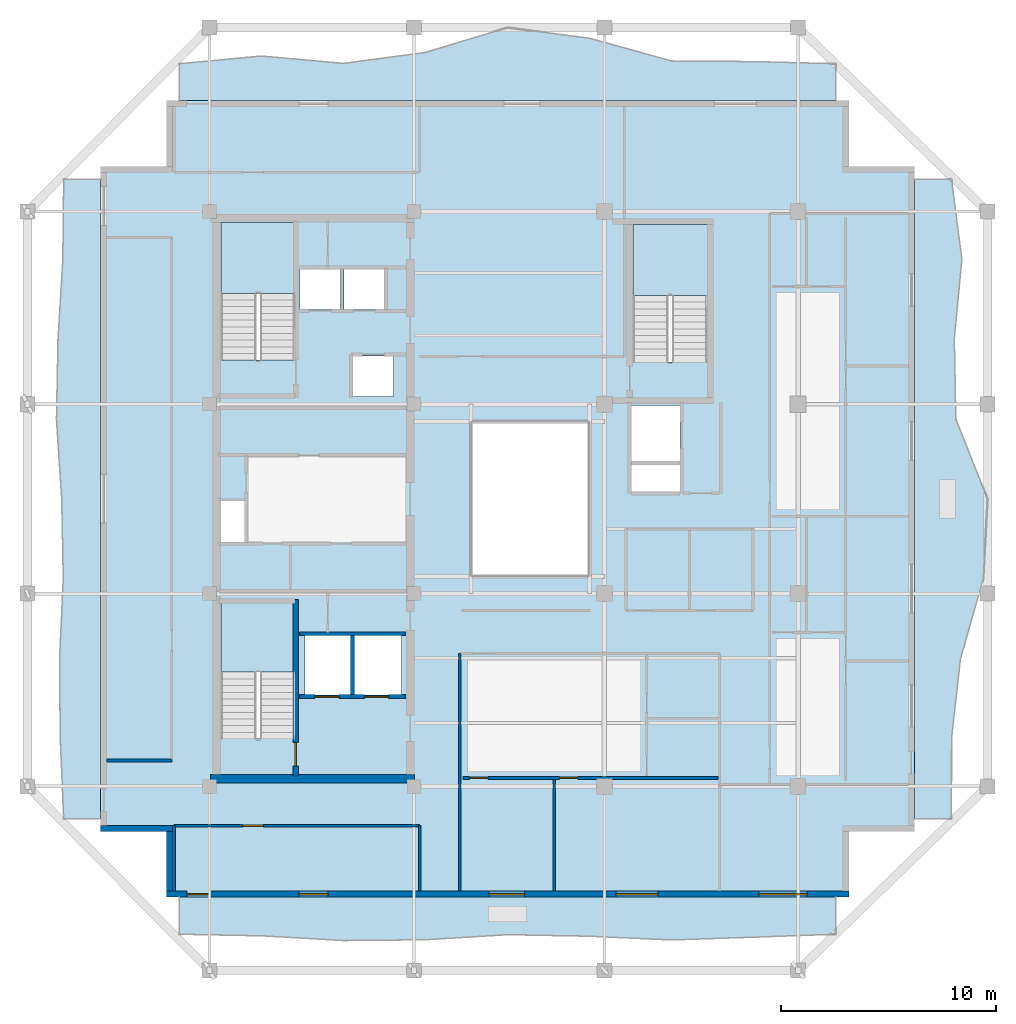
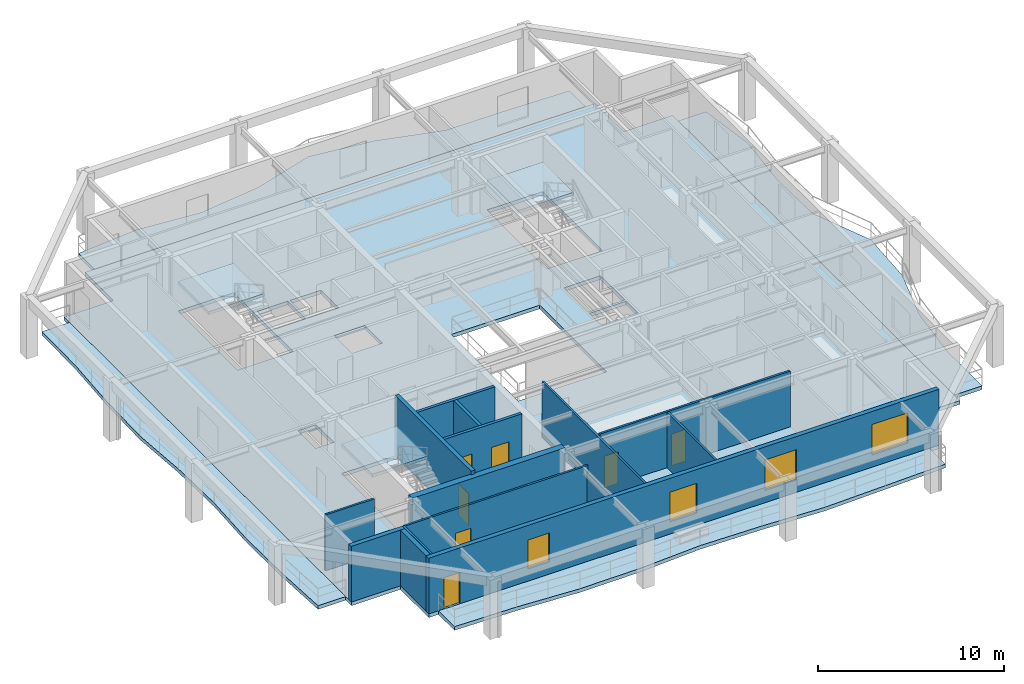
# One storey, part 2 of 10: 15 walls, 8 slabs, 7 doors, 4 windows, 11 openings, 3 elements without a shape of their own.
"""IFC4 building model written with IfcOpenShell, lengths in metres."""

from ifc_helpers import new_model, si_unit, direction, frame, frame_2d, origin, place, context, subcontext, project, spatial, polyline, rectangle, outline, extrude, material, layer, layer_set, type_object, element, fill, aggregate, save


model = new_model("IFC4")

# Units and contexts
model_context = context("Model", 3, precision=1e-05, world=origin(), true_north=direction((0.0, 1.0)))
body_context = subcontext(model_context, "Body", "Model", "MODEL_VIEW")
ifc_project = project(units=[si_unit("LENGTHUNIT", "METRE"), si_unit("AREAUNIT", "SQUARE_METRE"), si_unit("VOLUMEUNIT", "CUBIC_METRE"), si_unit("PLANEANGLEUNIT", "RADIAN"), si_unit("MASSUNIT", "GRAM", prefix="KILO")], contexts=[model_context])

# Site, building, storey
site_placement = place(None, origin())
site = spatial("IfcSite", under=ifc_project, at=site_placement, CompositionType="ELEMENT")
building_placement = place(site_placement, origin())
building = spatial("IfcBuilding", under=site, at=building_placement, Name="Kundavana Baori Tower", CompositionType="ELEMENT")
storey_placement = place(building_placement, frame((0.0, 0.0, 276.5)))
storey = spatial("IfcBuildingStorey", under=building, at=storey_placement, Name="L68", CompositionType="ELEMENT", Elevation=276.5)

# Slab
ifc_material_1 = material(Name="Concrete C40/50", Category="concrete")
ifc_layer_1 = layer(ifc_material_1, 0.239990234375, Name="SLB-FLR-240")
ifc_layer_set_1 = layer_set([ifc_layer_1], Name="Concrete C40/50")
slab_type_1 = type_object("IfcSlabType", Name="SLB-FLR-240", PredefinedType="FLOOR", material=ifc_layer_set_1)
slab_1_placement = place(storey_placement, frame((0.0, 0.0, -0.239990234375)))
element("IfcSlab", 1, at=slab_1_placement, inside=storey, type_object=slab_type_1, Name="L68 Structural Floor Slab", PredefinedType="FLOOR", context=body_context, shape_type="SweptSolid", body=[
    extrude(outline(polyline([(13.449951171875, 10.10009765625), (45.14990234375, 10.10009765625), (45.14990234375, 13.14990234375), (48.199951171875, 13.14990234375), (48.199951171875, 44.050048828125), (45.14990234375, 44.050048828125), (45.14990234375, 47.10009765625), (13.449951171875, 47.10009765625), (13.449951171875, 44.050048828125), (10.39990234375, 44.050048828125), (10.39990234375, 13.14990234375), (13.449951171875, 13.14990234375), (13.449951171875, 10.10009765625)]), holes=[polyline([(19.43994140625, 17.4619140625), (19.43994140625, 23.85009765625), (15.97998046875, 23.85009765625), (15.97998046875, 17.4619140625), (19.43994140625, 17.4619140625)]), polyline([(19.43994140625, 35.06201171875), (19.43994140625, 41.449951171875), (15.97998046875, 41.449951171875), (15.97998046875, 35.06201171875), (19.43994140625, 35.06201171875)]), polyline([(38.580078125, 34.9619140625), (38.580078125, 41.35009765625), (35.1201171875, 41.35009765625), (35.1201171875, 34.9619140625), (38.580078125, 34.9619140625)]), polyline([(19.64990234375, 37.39990234375), (21.550048828125, 37.39990234375), (21.550048828125, 39.300048828125), (19.64990234375, 39.300048828125), (19.64990234375, 37.39990234375)]), polyline([(21.699951171875, 37.39990234375), (23.60009765625, 37.39990234375), (23.60009765625, 39.300048828125), (21.699951171875, 39.300048828125), (21.699951171875, 37.39990234375)]), polyline([(22.10009765625, 33.35009765625), (24.0, 33.35009765625), (24.0, 35.25), (22.10009765625, 35.25), (22.10009765625, 33.35009765625)]), polyline([(19.8798828125, 19.5), (22.02001953125, 19.5), (22.02001953125, 22.25), (19.8798828125, 22.25), (19.8798828125, 19.5)]), polyline([(22.179931640625, 19.5), (24.3798828125, 19.5), (24.3798828125, 22.25), (22.179931640625, 22.25), (22.179931640625, 19.5)]), polyline([(35.050048828125, 30.35009765625), (37.300048828125, 30.35009765625), (37.300048828125, 32.949951171875), (35.050048828125, 32.949951171875), (35.050048828125, 30.35009765625)]), polyline([(15.949951171875, 26.60009765625), (17.080078125, 26.60009765625), (17.080078125, 28.5), (15.949951171875, 28.5), (15.949951171875, 26.60009765625)]), polyline([(35.050048828125, 28.949951171875), (37.300048828125, 28.949951171875), (37.300048828125, 30.199951171875), (35.050048828125, 30.199951171875), (35.050048828125, 28.949951171875)]), polyline([(27.60009765625, 25.0), (33.10009765625, 25.0), (33.10009765625, 32.199951171875), (27.60009765625, 32.199951171875), (27.60009765625, 25.0)])]), origin(), (0.0, 0.0, 1.0), 0.239990234375),
])

# Stair, slab
ifc_material_2 = material(Name="Concrete C40/50", Category="concrete")
stair_type = type_object("IfcStairType", Name="STR-DOG-1650", PredefinedType="HALF_TURN_STAIR", material=ifc_material_2)
stair_1_placement = place(storey_placement, origin())
stair_1 = element("IfcStair", 2, at=stair_1_placement, inside=storey, type_object=stair_type, Name="L68 Protected Exit Stair ST1", PredefinedType="HALF_TURN_STAIR")
ifc_material_3 = material(Name="Concrete C40/50", Category="concrete")
ifc_layer_2 = layer(ifc_material_3, 0.199951171875, Name="SLB-LND-200")
ifc_layer_set_2 = layer_set([ifc_layer_2], Name="Concrete C40/50")
slab_type_2 = type_object("IfcSlabType", Name="SLB-LND-200", PredefinedType="LANDING", material=ifc_layer_set_2)
slab_2_placement = place(storey_placement, frame((0.0, 0.0, 1.75)))
slab_2 = element("IfcSlab", 3, at=slab_2_placement, type_object=slab_type_2, Name="ST1 landing 1", PredefinedType="LANDING", context=body_context, shape_type="SweptSolid", body=[
    extrude(outline(polyline([(19.43994140625, 20.550048828125), (19.43994140625, 23.85009765625), (15.97998046875, 23.85009765625), (15.97998046875, 20.550048828125), (19.43994140625, 20.550048828125)])), origin(), (0.0, 0.0, 1.0), 0.199951171875),
])
aggregate(stair_1, [slab_2])

stair_2_placement = place(storey_placement, origin())
stair_2 = element("IfcStair", 4, at=stair_2_placement, inside=storey, type_object=stair_type, Name="L68 Protected Exit Stair ST2", PredefinedType="HALF_TURN_STAIR")
slab_3_placement = place(storey_placement, frame((0.0, 0.0, 1.75)))
slab_3 = element("IfcSlab", 5, at=slab_3_placement, type_object=slab_type_2, Name="ST2 landing 1", PredefinedType="LANDING", context=body_context, shape_type="SweptSolid", body=[
    extrude(outline(polyline([(19.43994140625, 38.14990234375), (19.43994140625, 41.449951171875), (15.97998046875, 41.449951171875), (15.97998046875, 38.14990234375), (19.43994140625, 38.14990234375)])), origin(), (0.0, 0.0, 1.0), 0.199951171875),
])
aggregate(stair_2, [slab_3])

stair_3_placement = place(storey_placement, origin())
stair_3 = element("IfcStair", 6, at=stair_3_placement, inside=storey, type_object=stair_type, Name="L68 Protected Exit Stair ST3", PredefinedType="HALF_TURN_STAIR")
slab_4_placement = place(storey_placement, frame((0.0, 0.0, 1.75)))
slab_4 = element("IfcSlab", 7, at=slab_4_placement, type_object=slab_type_2, Name="ST3 landing 1", PredefinedType="LANDING", context=body_context, shape_type="SweptSolid", body=[
    extrude(outline(polyline([(38.580078125, 38.050048828125), (38.580078125, 41.35009765625), (35.1201171875, 41.35009765625), (35.1201171875, 38.050048828125), (38.580078125, 38.050048828125)])), origin(), (0.0, 0.0, 1.0), 0.199951171875),
])
aggregate(stair_3, [slab_4])

# Slabs
ifc_material_4 = material(Name="Concrete C40/50", Category="concrete")
ifc_layer_3 = layer(ifc_material_4, 0.239990234375, Name="SLB-LOG-240")
ifc_layer_set_3 = layer_set([ifc_layer_3], Name="Concrete C40/50")
slab_type_3 = type_object("IfcSlabType", Name="SLB-LOG-240", PredefinedType="FLOOR", material=ifc_layer_set_3)
slab_5_placement = place(storey_placement, frame((0.0, 0.0, -0.239990234375)))
element("IfcSlab", 8, at=slab_5_placement, inside=storey, type_object=slab_type_3, Name="L68 Planted Loggia Balcony Slab S", PredefinedType="FLOOR", context=body_context, shape_type="SweptSolid", body=[
    extrude(outline(polyline([(14.050048828125, 10.10009765625), (44.550048828125, 10.10009765625), (44.550048828125, 8.3798828125), (40.737060546875, 8.243896484375), (36.925048828125, 8.114013671875), (33.112060546875, 8.2880859375), (29.300048828125, 8.360107421875), (25.487060546875, 8.123046875), (21.675048828125, 8.0869140625), (17.863037109375, 8.30810546875), (14.050048828125, 8.3798828125), (14.050048828125, 10.10009765625)])), origin(), (0.0, 0.0, 1.0), 0.239990234375),
])
slab_6_placement = place(storey_placement, frame((0.0, 0.0, -0.239990234375)))
element("IfcSlab", 9, at=slab_6_placement, inside=storey, type_object=slab_type_3, Name="L68 Planted Loggia Balcony Slab E", PredefinedType="FLOOR", context=body_context, shape_type="SweptSolid", body=[
    extrude(outline(polyline([(48.199951171875, 13.75), (48.199951171875, 43.449951171875), (49.919921875, 43.449951171875), (50.404052734375, 39.738037109375), (50.052001953125, 36.02490234375), (50.1240234375, 32.31201171875), (51.60009765625, 28.60009765625), (51.39599609375, 24.887939453125), (50.340087890625, 21.175048828125), (49.924072265625, 17.4619140625), (49.919921875, 13.75), (48.199951171875, 13.75)])), origin(), (0.0, 0.0, 1.0), 0.239990234375),
])
slab_7_placement = place(storey_placement, frame((0.0, 0.0, -0.239990234375)))
element("IfcSlab", 10, at=slab_7_placement, inside=storey, type_object=slab_type_3, Name="L68 Planted Loggia Balcony Slab N", PredefinedType="FLOOR", context=body_context, shape_type="SweptSolid", body=[
    extrude(outline(polyline([(44.550048828125, 47.10009765625), (14.050048828125, 47.10009765625), (14.050048828125, 48.820068359375), (17.863037109375, 49.177001953125), (21.675048828125, 48.833984375), (25.487060546875, 49.343994140625), (29.300048828125, 50.5), (33.112060546875, 50.001953125), (36.925048828125, 48.945068359375), (40.737060546875, 48.9169921875), (44.550048828125, 48.820068359375), (44.550048828125, 47.10009765625)])), origin(), (0.0, 0.0, 1.0), 0.239990234375),
])
slab_8_placement = place(storey_placement, frame((0.0, 0.0, -0.239990234375)))
element("IfcSlab", 11, at=slab_8_placement, inside=storey, type_object=slab_type_3, Name="L68 Planted Loggia Balcony Slab W", PredefinedType="FLOOR", context=body_context, shape_type="SweptSolid", body=[
    extrude(outline(polyline([(10.39990234375, 43.449951171875), (10.39990234375, 13.75), (8.679931640625, 13.75), (8.52001953125, 17.4619140625), (8.488037109375, 21.175048828125), (8.660888671875, 24.887939453125), (8.587890625, 28.60009765625), (8.343017578125, 32.31201171875), (8.416015625, 36.02490234375), (8.639892578125, 39.738037109375), (8.679931640625, 43.449951171875), (10.39990234375, 43.449951171875)])), origin(), (0.0, 0.0, 1.0), 0.239990234375),
])

# Wall
ifc_material_5 = material(Name="Concrete C50/60", Category="concrete")
ifc_layer_4 = layer(ifc_material_5, 0.39990234375, Name="WL-CORE-400")
ifc_layer_set_4 = layer_set([ifc_layer_4], Name="Concrete C50/60")
wall_type_1 = type_object("IfcWallType", Name="WL-CORE-400", PredefinedType="SHEAR", material=ifc_layer_set_4)
wall_1_placement = place(storey_placement, frame((15.5, 15.610107421875, 0.0), z_axis=(0.0, 0.0, 1.0), x_axis=(1.0, 0.0, 0.0)))
element("IfcWall", 12, at=wall_1_placement, inside=storey, type_object=wall_type_1, Name="L68 Offset Core South Shear Wall", PredefinedType="SHEAR", context=body_context, shape_type="SweptSolid", body=[
    extrude(rectangle(XDim=9.47998046875, YDim=0.39990234375, at=frame_2d((4.739990234375, 0.0))), origin(), (0.0, 0.0, 1.0), 3.659912109375),
])

# Wall, opening, door
wall_2_placement = place(storey_placement, frame((19.4599609375, 15.739990234375, 0.0), z_axis=(0.0, 0.0, 1.0), x_axis=(0.0, 1.0, 0.0)))
wall_2 = element("IfcWall", 13, at=wall_2_placement, inside=storey, type_object=wall_type_1, Name="WL-L68-ST1-E", PredefinedType="SHEAR", context=body_context, shape_type="SweptSolid", body=[
    extrude(rectangle(XDim=8.199951171875, YDim=0.239990234375, at=frame_2d((4.10009765625, 0.0))), origin(), (0.0, 0.0, 1.0), 3.89990234375),
])
opening_1_placement = place(wall_2_placement, frame((0.449951171875, 0.0, 0.0)))
opening_1 = element("IfcOpeningElement", 14, at=opening_1_placement, cuts=wall_2, Name="Opening FD-110", PredefinedType="OPENING", context=body_context, shape_type="SweptSolid", body=[
    extrude(rectangle(XDim=1.10009765625, YDim=2.10009765625, at=frame_2d((0.550048828125, 1.050048828125))), frame((0.0, 0.1298828125, 0.0), z_axis=(0.0, -1.0, 0.0), x_axis=(1.0, 0.0, 0.0)), (0.0, 0.0, 1.0), 0.260009765625),
])
ifc_material_6 = material(Name="Galvanised Steel Fire-Rated Door Leaf", Category="steel")
door_type_1 = type_object("IfcDoorType", Name="DR-FD120-1100", OperationType="NOTDEFINED", PredefinedType="DOOR", material=ifc_material_6)
door_1_placement = place(opening_1_placement, origin())
door_1 = element("IfcDoor", 15, at=door_1_placement, inside=storey, type_object=door_type_1, Name="DR-L68-ST1", OperationType="SINGLE_SWING_LEFT", OverallHeight=2.10009765625, OverallWidth=1.10009765625, PredefinedType="DOOR", context=body_context, shape_type="SweptSolid", body=[
    extrude(rectangle(XDim=1.10009765625, YDim=2.10009765625, at=frame_2d((0.550048828125, 1.050048828125))), frame((0.0, 0.02490234375, 0.0), z_axis=(0.0, -1.0, 0.0), x_axis=(1.0, 0.0, 0.0)), (0.0, 0.0, 1.0), 0.050048828125),
])
fill(opening_1, door_1)

# Wall, openings, door, windows
ifc_material_7 = material(Name="Red-Buff Dholpur Sandstone Cladding on Concrete C40/50", Category="masonry")
ifc_layer_5 = layer(ifc_material_7, 0.280029296875, Name="WL-EXT-SAND-280")
ifc_layer_set_5 = layer_set([ifc_layer_5], Name="Red-Buff Dholpur Sandstone Cladding on Concrete C40/50")
wall_type_2 = type_object("IfcWallType", Name="WL-EXT-SAND-280", PredefinedType="STANDARD", material=ifc_layer_set_5)
wall_3_placement = place(storey_placement, frame((13.449951171875, 10.239990234375, 0.0), z_axis=(0.0, 0.0, 1.0), x_axis=(1.0, 0.0, 0.0)))
wall_3 = element("IfcWall", 16, at=wall_3_placement, inside=storey, type_object=wall_type_2, Name="L68 Exterior Insulated Facade Wall 01", PredefinedType="STANDARD", context=body_context, shape_type="SweptSolid", body=[
    extrude(rectangle(XDim=31.699951171875, YDim=0.280029296875, at=frame_2d((15.85009765625, 0.0))), origin(), (0.0, 0.0, 1.0), 3.659912109375),
])
opening_2_placement = place(wall_3_placement, frame((0.949951171875, 0.0, 0.0)))
opening_2 = element("IfcOpeningElement", 17, at=opening_2_placement, cuts=wall_3, Name="Opening BD-1", PredefinedType="OPENING", context=body_context, shape_type="SweptSolid", body=[
    extrude(rectangle(XDim=1.0, YDim=2.050048828125, at=frame_2d((0.5, 1.02490234375))), frame((0.0, 0.14990234375, 0.0), z_axis=(0.0, -1.0, 0.0), x_axis=(1.0, 0.0, 0.0)), (0.0, 0.0, 1.0), 0.300048828125),
])
opening_3_placement = place(wall_3_placement, frame((6.159912109375, 0.0, 0.800048828125)))
opening_3 = element("IfcOpeningElement", 18, at=opening_3_placement, cuts=wall_3, Name="Opening W-07", PredefinedType="OPENING", context=body_context, shape_type="SweptSolid", body=[
    extrude(rectangle(XDim=1.35009765625, YDim=1.89990234375, at=frame_2d((0.675048828125, 0.949951171875))), frame((0.0, 0.14990234375, 0.0), z_axis=(0.0, -1.0, 0.0), x_axis=(1.0, 0.0, 0.0)), (0.0, 0.0, 1.0), 0.300048828125),
])
opening_4_placement = place(wall_3_placement, frame((14.998046875, 0.0, 0.800048828125)))
opening_4 = element("IfcOpeningElement", 19, at=opening_4_placement, cuts=wall_3, Name="Opening W-08", PredefinedType="OPENING", context=body_context, shape_type="SweptSolid", body=[
    extrude(rectangle(XDim=1.64990234375, YDim=1.949951171875, at=frame_2d((0.824951171875, 0.97509765625))), frame((0.0, 0.14990234375, 0.0), z_axis=(0.0, -1.0, 0.0), x_axis=(1.0, 0.0, 0.0)), (0.0, 0.0, 1.0), 0.300048828125),
])
opening_5_placement = place(wall_3_placement, frame((20.883056640625, 0.0, 0.800048828125)))
opening_5 = element("IfcOpeningElement", 20, at=opening_5_placement, cuts=wall_3, Name="Opening W-09", PredefinedType="OPENING", context=body_context, shape_type="SweptSolid", body=[
    extrude(rectangle(XDim=1.949951171875, YDim=2.0, at=frame_2d((0.97509765625, 1.0))), frame((0.0, 0.14990234375, 0.0), z_axis=(0.0, -1.0, 0.0), x_axis=(1.0, 0.0, 0.0)), (0.0, 0.0, 1.0), 0.300048828125),
])
opening_6_placement = place(wall_3_placement, frame((27.52001953125, 0.0, 0.800048828125)))
opening_6 = element("IfcOpeningElement", 21, at=opening_6_placement, cuts=wall_3, Name="Opening W-10", PredefinedType="OPENING", context=body_context, shape_type="SweptSolid", body=[
    extrude(rectangle(XDim=2.25, YDim=2.0, at=frame_2d((1.125, 1.0))), frame((0.0, 0.14990234375, 0.0), z_axis=(0.0, -1.0, 0.0), x_axis=(1.0, 0.0, 0.0)), (0.0, 0.0, 1.0), 0.300048828125),
])
ifc_material_8 = material(Name="Architectural Patinated Bronze Metalwork")
door_type_2 = type_object("IfcDoorType", Name="DR-EXT-LOG-1000", OperationType="NOTDEFINED", PredefinedType="DOOR", material=ifc_material_8)
door_2_placement = place(opening_2_placement, frame((1.0, 0.0, 0.0), z_axis=(0.0, 0.0, 1.0), x_axis=(-1.0, 0.0, 0.0)))
door_2 = element("IfcDoor", 22, at=door_2_placement, inside=storey, type_object=door_type_2, Name="L68 Loggia Balcony Access Door S", OperationType="SINGLE_SWING_LEFT", OverallHeight=2.050048828125, OverallWidth=1.0, PredefinedType="DOOR", context=body_context, shape_type="SweptSolid", body=[
    extrude(rectangle(XDim=1.0, YDim=2.050048828125, at=frame_2d((0.5, 1.02490234375))), frame((0.0, 0.02490234375, 0.0), z_axis=(0.0, -1.0, 0.0), x_axis=(1.0, 0.0, 0.0)), (0.0, 0.0, 1.0), 0.050048828125),
])
fill(opening_2, door_2)
ifc_material_9 = material(Name="Double-Glazed Solar-Control Low-E Insulated Glass", Category="glass")
window_type_1 = type_object("IfcWindowType", Name="WIN-LOG-1350x1900", PartitioningType="SINGLE_PANEL", PredefinedType="WINDOW", material=ifc_material_9)
window_1_placement = place(opening_3_placement, origin())
window_1 = element("IfcWindow", 23, at=window_1_placement, inside=storey, type_object=window_type_1, Name="L68 Recessed Loggia Window S-1", OverallHeight=1.89990234375, OverallWidth=1.35009765625, PartitioningType="SINGLE_PANEL", PredefinedType="WINDOW", context=body_context, shape_type="SweptSolid", body=[
    extrude(rectangle(XDim=1.35009765625, YDim=1.89990234375, at=frame_2d((0.675048828125, 0.949951171875))), frame((0.0, 0.030029296875, 0.0), z_axis=(0.0, -1.0, 0.0), x_axis=(1.0, 0.0, 0.0)), (0.0, 0.0, 1.0), 0.06005859375),
])
fill(opening_3, window_1)
ifc_material_10 = material(Name="Double-Glazed Solar-Control Low-E Insulated Glass", Category="glass")
window_type_2 = type_object("IfcWindowType", Name="WIN-LOG-1650x1950", PartitioningType="SINGLE_PANEL", PredefinedType="WINDOW", material=ifc_material_10)
window_2_placement = place(opening_4_placement, origin())
window_2 = element("IfcWindow", 24, at=window_2_placement, inside=storey, type_object=window_type_2, Name="L68 Recessed Loggia Window S-2", OverallHeight=1.949951171875, OverallWidth=1.64990234375, PartitioningType="SINGLE_PANEL", PredefinedType="WINDOW", context=body_context, shape_type="SweptSolid", body=[
    extrude(rectangle(XDim=1.64990234375, YDim=1.949951171875, at=frame_2d((0.824951171875, 0.97509765625))), frame((0.0, 0.030029296875, 0.0), z_axis=(0.0, -1.0, 0.0), x_axis=(1.0, 0.0, 0.0)), (0.0, 0.0, 1.0), 0.06005859375),
])
fill(opening_4, window_2)
ifc_material_11 = material(Name="Double-Glazed Solar-Control Low-E Insulated Glass", Category="glass")
window_type_3 = type_object("IfcWindowType", Name="WIN-LOG-1950x2000", PartitioningType="SINGLE_PANEL", PredefinedType="WINDOW", material=ifc_material_11)
window_3_placement = place(opening_5_placement, origin())
window_3 = element("IfcWindow", 25, at=window_3_placement, inside=storey, type_object=window_type_3, Name="L68 Recessed Loggia Window S-3", OverallHeight=2.0, OverallWidth=1.949951171875, PartitioningType="SINGLE_PANEL", PredefinedType="WINDOW", context=body_context, shape_type="SweptSolid", body=[
    extrude(rectangle(XDim=1.949951171875, YDim=2.0, at=frame_2d((0.97509765625, 1.0))), frame((0.0, 0.030029296875, 0.0), z_axis=(0.0, -1.0, 0.0), x_axis=(1.0, 0.0, 0.0)), (0.0, 0.0, 1.0), 0.06005859375),
])
fill(opening_5, window_3)
ifc_material_12 = material(Name="Double-Glazed Solar-Control Low-E Insulated Glass", Category="glass")
window_type_4 = type_object("IfcWindowType", Name="WIN-LOG-2250x2000", PartitioningType="SINGLE_PANEL", PredefinedType="WINDOW", material=ifc_material_12)
window_4_placement = place(opening_6_placement, origin())
window_4 = element("IfcWindow", 26, at=window_4_placement, inside=storey, type_object=window_type_4, Name="L68 Recessed Loggia Window S-4", OverallHeight=2.0, OverallWidth=2.25, PartitioningType="SINGLE_PANEL", PredefinedType="WINDOW", context=body_context, shape_type="SweptSolid", body=[
    extrude(rectangle(XDim=2.25, YDim=2.0, at=frame_2d((1.125, 1.0))), frame((0.0, 0.030029296875, 0.0), z_axis=(0.0, -1.0, 0.0), x_axis=(1.0, 0.0, 0.0)), (0.0, 0.0, 1.0), 0.06005859375),
])
fill(opening_6, window_4)

# Walls
wall_4_placement = place(storey_placement, frame((10.39990234375, 13.2900390625, 0.0), z_axis=(0.0, 0.0, 1.0), x_axis=(1.0, 0.0, 0.0)))
element("IfcWall", 27, at=wall_4_placement, inside=storey, type_object=wall_type_2, Name="L68 Exterior Insulated Facade Wall 11", PredefinedType="STANDARD", context=body_context, shape_type="SweptSolid", body=[
    extrude(rectangle(XDim=3.330078125, YDim=0.280029296875, at=frame_2d((1.6650390625, 0.0))), origin(), (0.0, 0.0, 1.0), 3.659912109375),
])
wall_5_placement = place(storey_placement, frame((13.590087890625, 13.14990234375, 0.0), z_axis=(0.0, 0.0, 1.0), x_axis=(0.0, -1.0, 0.0)))
element("IfcWall", 28, at=wall_5_placement, inside=storey, type_object=wall_type_2, Name="L68 Exterior Insulated Facade Wall 12", PredefinedType="STANDARD", context=body_context, shape_type="SweptSolid", body=[
    extrude(rectangle(XDim=2.77001953125, YDim=0.280029296875, at=frame_2d((1.385009765625, 0.0))), origin(), (0.0, 0.0, 1.0), 3.659912109375),
])

# Wall, openings, doors
ifc_material_13 = material(Name="Autoclaved Aerated Concrete Blockwork Masonry", Category="masonry")
ifc_layer_6 = layer(ifc_material_13, 0.179931640625, Name="WL-SHAFT-180")
ifc_layer_set_6 = layer_set([ifc_layer_6], Name="Autoclaved Aerated Concrete Blockwork Masonry")
wall_type_3 = type_object("IfcWallType", Name="WL-SHAFT-180", PredefinedType="SOLIDWALL", material=ifc_layer_set_6)
wall_6_placement = place(storey_placement, frame((19.639892578125, 19.419921875, 0.0), z_axis=(0.0, 0.0, 1.0), x_axis=(1.0, 0.0, 0.0)))
wall_6 = element("IfcWall", 29, at=wall_6_placement, inside=storey, type_object=wall_type_3, Name="WL-L68-FFL-S", PredefinedType="SOLIDWALL", context=body_context, shape_type="SweptSolid", body=[
    extrude(rectangle(XDim=4.940185546875, YDim=0.179931640625, at=frame_2d((2.47021484375, 0.0))), origin(), (0.0, 0.0, 1.0), 3.659912109375),
])
opening_7_placement = place(wall_6_placement, frame((0.719970703125, 0.0, 0.0)))
opening_7 = element("IfcOpeningElement", 30, at=opening_7_placement, cuts=wall_6, Name="Opening LD-110", PredefinedType="OPENING", context=body_context, shape_type="SweptSolid", body=[
    extrude(rectangle(XDim=1.10009765625, YDim=2.10009765625, at=frame_2d((0.550048828125, 1.050048828125))), frame((0.0, 0.10009765625, 0.0), z_axis=(0.0, -1.0, 0.0), x_axis=(1.0, 0.0, 0.0)), (0.0, 0.0, 1.0), 0.199951171875),
])
opening_8_placement = place(wall_6_placement, frame((3.02001953125, 0.0, 0.0)))
opening_8 = element("IfcOpeningElement", 31, at=opening_8_placement, cuts=wall_6, Name="Opening LD-110", PredefinedType="OPENING", context=body_context, shape_type="SweptSolid", body=[
    extrude(rectangle(XDim=1.10009765625, YDim=2.10009765625, at=frame_2d((0.550048828125, 1.050048828125))), frame((0.0, 0.10009765625, 0.0), z_axis=(0.0, -1.0, 0.0), x_axis=(1.0, 0.0, 0.0)), (0.0, 0.0, 1.0), 0.199951171875),
])
ifc_material_14 = material(Name="Galvanised Steel Fire-Rated Door Leaf", Category="steel")
door_type_3 = type_object("IfcDoorType", Name="DR-SLIDE-LD1100", OperationType="NOTDEFINED", PredefinedType="DOOR", material=ifc_material_14)
door_3_placement = place(opening_7_placement, origin())
door_3 = element("IfcDoor", 32, at=door_3_placement, inside=storey, type_object=door_type_3, Name="DR-L68-LD-FFL-1", OperationType="DOUBLE_DOOR_SLIDING", OverallHeight=2.10009765625, OverallWidth=1.10009765625, PredefinedType="DOOR", context=body_context, shape_type="SweptSolid", body=[
    extrude(rectangle(XDim=1.10009765625, YDim=2.10009765625, at=frame_2d((0.550048828125, 1.050048828125))), frame((0.0, 0.02490234375, 0.0), z_axis=(0.0, -1.0, 0.0), x_axis=(1.0, 0.0, 0.0)), (0.0, 0.0, 1.0), 0.050048828125),
])
fill(opening_7, door_3)
door_4_placement = place(opening_8_placement, origin())
door_4 = element("IfcDoor", 33, at=door_4_placement, inside=storey, type_object=door_type_3, Name="DR-L68-LD-FFL-2", OperationType="DOUBLE_DOOR_SLIDING", OverallHeight=2.10009765625, OverallWidth=1.10009765625, PredefinedType="DOOR", context=body_context, shape_type="SweptSolid", body=[
    extrude(rectangle(XDim=1.10009765625, YDim=2.10009765625, at=frame_2d((0.550048828125, 1.050048828125))), frame((0.0, 0.02490234375, 0.0), z_axis=(0.0, -1.0, 0.0), x_axis=(1.0, 0.0, 0.0)), (0.0, 0.0, 1.0), 0.050048828125),
])
fill(opening_8, door_4)

# Walls
wall_7_placement = place(storey_placement, frame((22.10009765625, 19.510009765625, 0.0), z_axis=(0.0, 0.0, 1.0), x_axis=(0.0, 1.0, 0.0)))
element("IfcWall", 34, at=wall_7_placement, inside=storey, type_object=wall_type_3, Name="WL-L68-FFL-MID", PredefinedType="SOLIDWALL", context=body_context, shape_type="SweptSolid", body=[
    extrude(rectangle(XDim=2.739990234375, YDim=0.179931640625, at=frame_2d((1.3701171875, 0.0))), origin(), (0.0, 0.0, 1.0), 3.659912109375),
])
wall_8_placement = place(storey_placement, frame((19.639892578125, 22.340087890625, 0.0), z_axis=(0.0, 0.0, 1.0), x_axis=(1.0, 0.0, 0.0)))
element("IfcWall", 35, at=wall_8_placement, inside=storey, type_object=wall_type_3, Name="WL-L68-FFL-N", PredefinedType="SOLIDWALL", context=body_context, shape_type="SweptSolid", body=[
    extrude(rectangle(XDim=4.940185546875, YDim=0.179931640625, at=frame_2d((2.47021484375, 0.0))), origin(), (0.0, 0.0, 1.0), 3.659912109375),
])
ifc_material_15 = material(Name="Autoclaved Aerated Concrete Blockwork Masonry", Category="masonry")
ifc_layer_7 = layer(ifc_material_15, 0.125, Name="WL-WET-120")
ifc_layer_set_7 = layer_set([ifc_layer_7], Name="Autoclaved Aerated Concrete Blockwork Masonry")
wall_type_4 = type_object("IfcWallType", Name="WL-WET-120", PredefinedType="PLUMBINGWALL", material=ifc_layer_set_7)
wall_9_placement = place(storey_placement, frame((27.080078125, 10.3798828125, 0.0), z_axis=(0.0, 0.0, 1.0), x_axis=(0.0, 1.0, 0.0)))
element("IfcWall", 36, at=wall_9_placement, inside=storey, type_object=wall_type_4, Name="WL-L68-RSW", PredefinedType="PLUMBINGWALL", context=body_context, shape_type="SweptSolid", body=[
    extrude(rectangle(XDim=11.0400390625, YDim=0.125, at=frame_2d((5.52001953125, 0.0))), origin(), (0.0, 0.0, 1.0), 3.659912109375),
])

# Wall, opening, door
wall_10_placement = place(storey_placement, frame((13.800048828125, 13.419921875, 0.0), z_axis=(0.0, 0.0, 1.0), x_axis=(1.0, 0.0, 0.0)))
wall_10 = element("IfcWall", 37, at=wall_10_placement, inside=storey, type_object=wall_type_4, Name="WL-L68-RSC", PredefinedType="PLUMBINGWALL", context=body_context, shape_type="SweptSolid", body=[
    extrude(rectangle(XDim=11.419921875, YDim=0.125, at=frame_2d((5.7099609375, 0.0))), origin(), (0.0, 0.0, 1.0), 3.659912109375),
])
opening_9_placement = place(wall_10_placement, frame((3.199951171875, 0.0, 0.0)))
opening_9 = element("IfcOpeningElement", 38, at=opening_9_placement, cuts=wall_10, Name="Opening ID-095", PredefinedType="OPENING", context=body_context, shape_type="SweptSolid", body=[
    extrude(rectangle(XDim=0.949951171875, YDim=2.080078125, at=frame_2d((0.47509765625, 1.0400390625))), frame((0.0, 0.072509765625, 0.0), z_axis=(0.0, -1.0, 0.0), x_axis=(1.0, 0.0, 0.0)), (0.0, 0.0, 1.0), 0.14501953125),
])
ifc_material_16 = material(Name="Engineered Teak Solid-Core Timber Veneer", Category="wood")
door_type_4 = type_object("IfcDoorType", Name="DR-INT-950", OperationType="NOTDEFINED", PredefinedType="DOOR", material=ifc_material_16)
door_5_placement = place(opening_9_placement, frame((0.949951171875, 0.0, 0.0), z_axis=(0.0, 0.0, 1.0), x_axis=(-1.0, 0.0, 0.0)))
door_5 = element("IfcDoor", 39, at=door_5_placement, inside=storey, type_object=door_type_4, Name="DR-L68-RMSW", OperationType="SINGLE_SWING_LEFT", OverallHeight=2.080078125, OverallWidth=0.949951171875, PredefinedType="DOOR", context=body_context, shape_type="SweptSolid", body=[
    extrude(rectangle(XDim=0.949951171875, YDim=2.080078125, at=frame_2d((0.47509765625, 1.0400390625))), frame((0.0, 0.02490234375, 0.0), z_axis=(0.0, -1.0, 0.0), x_axis=(1.0, 0.0, 0.0)), (0.0, 0.0, 1.0), 0.050048828125),
])
fill(opening_9, door_5)

# Walls
wall_11_placement = place(storey_placement, frame((13.800048828125, 10.3798828125, 0.0), z_axis=(0.0, 0.0, 1.0), x_axis=(0.0, 1.0, 0.0)))
element("IfcWall", 40, at=wall_11_placement, inside=storey, type_object=wall_type_4, Name="WL-L68-RSCW", PredefinedType="PLUMBINGWALL", context=body_context, shape_type="SweptSolid", body=[
    extrude(rectangle(XDim=3.0400390625, YDim=0.125, at=frame_2d((1.52001953125, 0.0))), origin(), (0.0, 0.0, 1.0), 3.659912109375),
])
wall_12_placement = place(storey_placement, frame((25.219970703125, 10.3798828125, 0.0), z_axis=(0.0, 0.0, 1.0), x_axis=(0.0, 1.0, 0.0)))
element("IfcWall", 41, at=wall_12_placement, inside=storey, type_object=wall_type_4, Name="WL-L68-RSCE", PredefinedType="PLUMBINGWALL", context=body_context, shape_type="SweptSolid", body=[
    extrude(rectangle(XDim=3.0400390625, YDim=0.125, at=frame_2d((1.52001953125, 0.0))), origin(), (0.0, 0.0, 1.0), 3.2099609375),
])
wall_13_placement = place(storey_placement, frame((10.679931640625, 16.449951171875, 0.0), z_axis=(0.0, 0.0, 1.0), x_axis=(1.0, 0.0, 0.0)))
element("IfcWall", 42, at=wall_13_placement, inside=storey, type_object=wall_type_4, Name="WL-L68-RWS", PredefinedType="PLUMBINGWALL", context=body_context, shape_type="SweptSolid", body=[
    extrude(rectangle(XDim=3.02001953125, YDim=0.125, at=frame_2d((1.510009765625, 0.0))), origin(), (0.0, 0.0, 1.0), 3.659912109375),
])

# Wall, openings, doors
wall_14_placement = place(storey_placement, frame((27.239990234375, 15.64111328125, 0.0), z_axis=(0.0, 0.0, 1.0), x_axis=(1.0, 0.0, 0.0)))
wall_14 = element("IfcWall", 43, at=wall_14_placement, inside=storey, type_object=wall_type_4, Name="WL-L68-S1-HZ", PredefinedType="PLUMBINGWALL", context=body_context, shape_type="SweptSolid", body=[
    extrude(rectangle(XDim=11.830078125, YDim=0.125, at=frame_2d((5.9150390625, 0.0))), origin(), (0.0, 0.0, 1.0), 3.659912109375),
])
opening_10_placement = place(wall_14_placement, frame((0.300048828125, 0.0, 0.0)))
opening_10 = element("IfcOpeningElement", 44, at=opening_10_placement, cuts=wall_14, Name="Opening ID-085", PredefinedType="OPENING", context=body_context, shape_type="SweptSolid", body=[
    extrude(rectangle(XDim=0.85009765625, YDim=2.080078125, at=frame_2d((0.425048828125, 1.0400390625))), frame((0.0, 0.072509765625, 0.0), z_axis=(0.0, -1.0, 0.0), x_axis=(1.0, 0.0, 0.0)), (0.0, 0.0, 1.0), 0.14501953125),
])
opening_11_placement = place(wall_14_placement, frame((4.47509765625, 0.0, 0.0)))
opening_11 = element("IfcOpeningElement", 45, at=opening_11_placement, cuts=wall_14, Name="Opening ID-085", PredefinedType="OPENING", context=body_context, shape_type="SweptSolid", body=[
    extrude(rectangle(XDim=0.85009765625, YDim=2.080078125, at=frame_2d((0.425048828125, 1.0400390625))), frame((0.0, 0.072509765625, 0.0), z_axis=(0.0, -1.0, 0.0), x_axis=(1.0, 0.0, 0.0)), (0.0, 0.0, 1.0), 0.14501953125),
])
ifc_material_17 = material(Name="Engineered Teak Solid-Core Timber Veneer", Category="wood")
door_type_5 = type_object("IfcDoorType", Name="DR-INT-850", OperationType="NOTDEFINED", PredefinedType="DOOR", material=ifc_material_17)
door_6_placement = place(opening_10_placement, frame((0.85009765625, 0.0, 0.0), z_axis=(0.0, 0.0, 1.0), x_axis=(-1.0, 0.0, 0.0)))
door_6 = element("IfcDoor", 46, at=door_6_placement, inside=storey, type_object=door_type_5, Name="DR-L68-S1-B1", OperationType="SINGLE_SWING_LEFT", OverallHeight=2.080078125, OverallWidth=0.85009765625, PredefinedType="DOOR", context=body_context, shape_type="SweptSolid", body=[
    extrude(rectangle(XDim=0.85009765625, YDim=2.080078125, at=frame_2d((0.425048828125, 1.0400390625))), frame((0.0, 0.02490234375, 0.0), z_axis=(0.0, -1.0, 0.0), x_axis=(1.0, 0.0, 0.0)), (0.0, 0.0, 1.0), 0.050048828125),
])
fill(opening_10, door_6)
door_7_placement = place(opening_11_placement, frame((0.85009765625, 0.0, 0.0), z_axis=(0.0, 0.0, 1.0), x_axis=(-1.0, 0.0, 0.0)))
door_7 = element("IfcDoor", 47, at=door_7_placement, inside=storey, type_object=door_type_5, Name="DR-L68-S1-B2", OperationType="SINGLE_SWING_RIGHT", OverallHeight=2.080078125, OverallWidth=0.85009765625, PredefinedType="DOOR", context=body_context, shape_type="SweptSolid", body=[
    extrude(rectangle(XDim=0.85009765625, YDim=2.080078125, at=frame_2d((0.425048828125, 1.0400390625))), frame((0.0, 0.02490234375, 0.0), z_axis=(0.0, -1.0, 0.0), x_axis=(1.0, 0.0, 0.0)), (0.0, 0.0, 1.0), 0.050048828125),
])
fill(opening_11, door_7)

# Wall
wall_15_placement = place(storey_placement, frame((31.465087890625, 10.3798828125, 0.0), z_axis=(0.0, 0.0, 1.0), x_axis=(0.0, 1.0, 0.0)))
element("IfcWall", 48, at=wall_15_placement, inside=storey, type_object=wall_type_4, Name="WL-L68-S1-BDV", PredefinedType="PLUMBINGWALL", context=body_context, shape_type="SweptSolid", body=[
    extrude(rectangle(XDim=5.18115234375, YDim=0.125, at=frame_2d((2.590576171875, 0.0))), origin(), (0.0, 0.0, 1.0), 3.659912109375),
])

save(model, "model.ifc")
